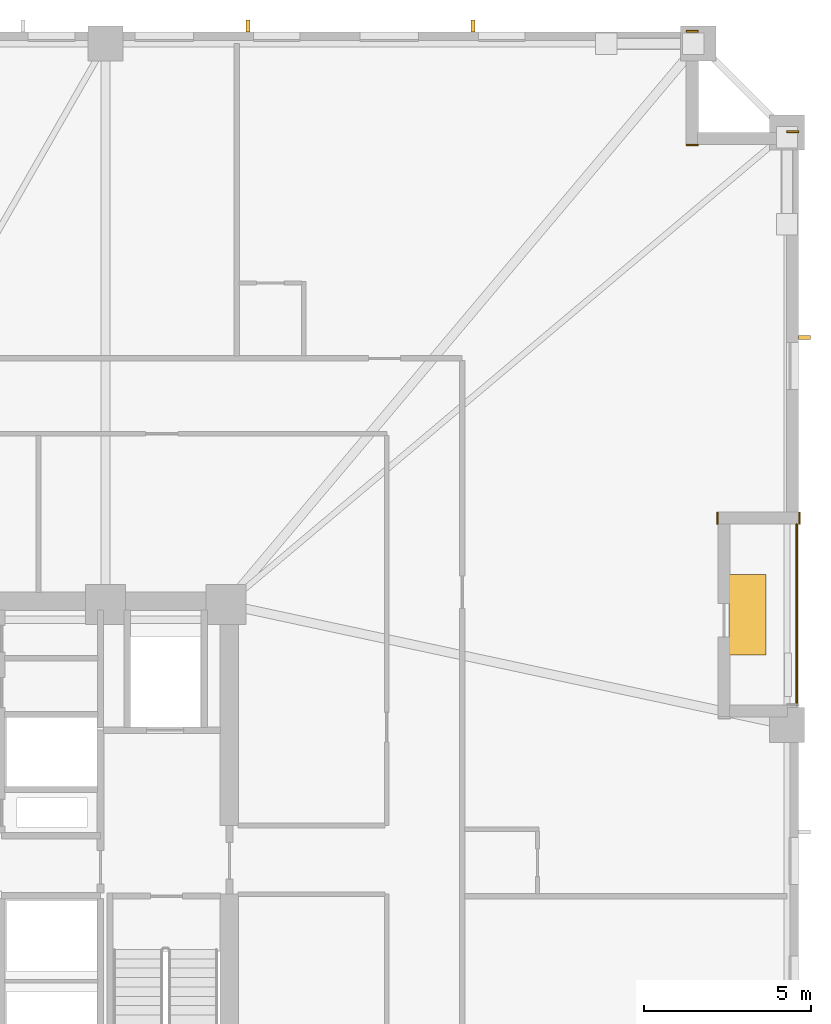
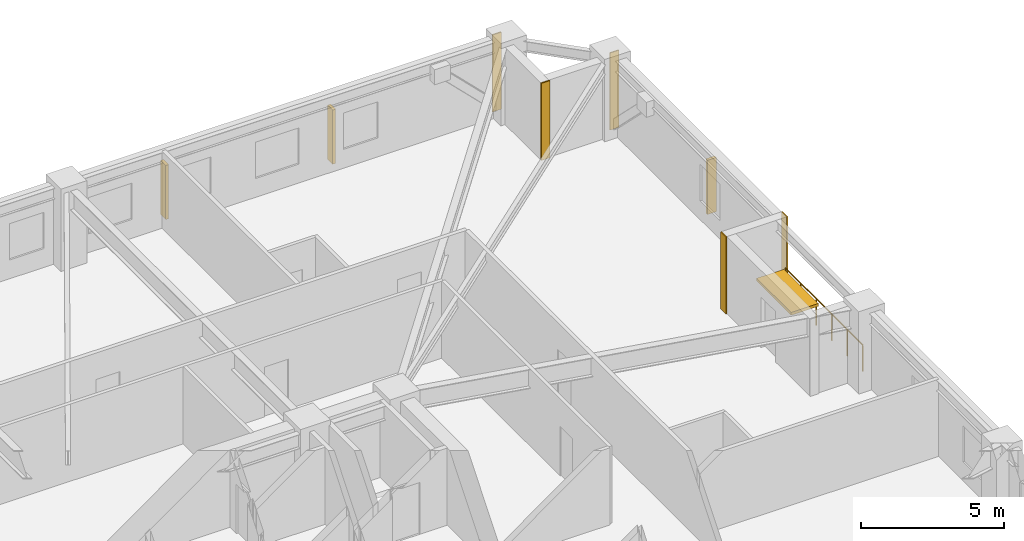
# One storey, part 11 of 11: 5 coverings, 4 shading devices, 1 railing.
"""IFC4 building model written with IfcOpenShell, lengths in metres."""

from ifc_helpers import new_model, si_unit, direction, frame, frame_2d, origin, origin_2d, place, context, subcontext, project, spatial, rectangle, circle, extrude, material, layer, layer_set, type_object, element, save


model = new_model("IFC4")

# Units and contexts
model_context = context("Model", 3, precision=1e-05, world=origin(), true_north=direction((0.0, 1.0)))
body_context = subcontext(model_context, "Body", "Model", "MODEL_VIEW")
ifc_project = project(units=[si_unit("LENGTHUNIT", "METRE"), si_unit("AREAUNIT", "SQUARE_METRE"), si_unit("VOLUMEUNIT", "CUBIC_METRE"), si_unit("PLANEANGLEUNIT", "RADIAN"), si_unit("MASSUNIT", "GRAM", prefix="KILO")], contexts=[model_context])

# Site, building, storey
site_placement = place(None, origin())
site = spatial("IfcSite", under=ifc_project, at=site_placement, CompositionType="ELEMENT")
building_placement = place(site_placement, origin())
building = spatial("IfcBuilding", under=site, at=building_placement, Name="Cairnveth Concourse Tower", CompositionType="ELEMENT")
storey_placement = place(building_placement, frame((0.0, 0.0, 76.0)))
storey = spatial("IfcBuildingStorey", under=building, at=storey_placement, Name="L20", CompositionType="ELEMENT", Elevation=76.0)

# Coverings
ifc_material_1 = material(Name="Dressed Melbourne Bluestone Cladding", Category="masonry")
ifc_layer = layer(ifc_material_1, 0.050048828125)
ifc_layer_set = layer_set([ifc_layer], Name="Dressed Melbourne Bluestone Cladding")
covering_type = type_object("IfcCoveringType", Name="DRESSED BLUESTONE PLINTH CLADDING 50", PredefinedType="CLADDING", material=ifc_layer_set)
for number, where, z_axis, x_axis, name in (
    (1, (74.139892578125, 64.52001953125, 0.0), (0.0, 0.0, 1.0), (1.0, 0.0, 0.0), "Melbourne Bluestone Corner Quoin L20-273"),
    (2, (74.139892578125, 61.1201171875, 0.0), (0.0, 0.0, 1.0), (1.0, 0.0, 0.0), "Melbourne Bluestone Corner Quoin L20-274"),
    (3, (77.139892578125, 61.52001953125, 0.0), (0.0, 0.0, 1.0), (1.0, 0.0, 0.0), "Melbourne Bluestone Corner Quoin L20-275"),
):
    element("IfcCovering", number, at=place(storey_placement, frame(where, z_axis=z_axis, x_axis=x_axis)), inside=storey, type_object=covering_type, Name=name, PredefinedType="CLADDING", context=body_context, shape_type="SweptSolid", body=[
        extrude(rectangle(XDim=0.360107421875, YDim=0.050048828125, at=frame_2d((0.18017578125, 0.0))), origin(), (0.0, 0.0, 1.0), 3.280029296875),
    ])
for number, where, z_axis, x_axis, name in (
    (4, (77.52001953125, 50.159912109375, 0.0), (0.0, 0.0, 1.0), (0.0, -1.0, 0.0), "Melbourne Bluestone Corner Quoin L20-276"),
    (5, (75.070068359375, 50.159912109375, 0.0), (0.0, 0.0, 1.0), (0.0, -1.0, 0.0), "Melbourne Bluestone Corner Quoin L20-277"),
):
    element("IfcCovering", number, at=place(storey_placement, frame(where, z_axis=z_axis, x_axis=x_axis)), inside=storey, type_object=covering_type, Name=name, PredefinedType="CLADDING", context=body_context, shape_type="SweptSolid", body=[
        extrude(rectangle(XDim=0.35986328125, YDim=0.050048828125, at=frame_2d((0.179931640625, 0.0))), origin(), (0.0, 0.0, 1.0), 3.280029296875),
    ])

# Shading devices
ifc_material_2 = material(Name="Architectural Bronze Anodised Aluminium 6063-T6", Category="aluminium")
shading_device_type_1 = type_object("IfcShadingDeviceType", Name="GOTHIC BRONZE VERTICAL LANCET FIN", PredefinedType="USERDEFINED", material=ifc_material_2)
for number, where, z_axis, x_axis, name in (
    (6, (61.051513671875, 64.675048828125, 0.02978515625), (0.0, 0.0, 1.0), (1.0, 0.0, 0.0), "Gothic Bronze Vertical Fin L20-9-9"),
    (7, (67.77197265625, 64.675048828125, 0.02978515625), (0.0, 0.0, 1.0), (1.0, 0.0, 0.0), "Gothic Bronze Vertical Fin L20-9-11"),
    (8, (77.675048828125, 55.37890625, 0.02978515625), (0.0, 0.0, 1.0), (0.0, 1.0, 0.0), "Gothic Bronze Vertical Fin L20-12-1"),
):
    element("IfcShadingDevice", number, at=place(storey_placement, frame(where, z_axis=z_axis, x_axis=x_axis)), inside=storey, type_object=shading_device_type_1, Name=name, ObjectType="VERTICAL FIN", PredefinedType="USERDEFINED", context=body_context, shape_type="SweptSolid", body=[
        extrude(rectangle(XDim=0.1201171875, YDim=0.360107421875, at=origin_2d()), origin(), (0.0, 0.0, 1.0), 2.303955078125),
    ])
shading_device_type_2 = type_object("IfcShadingDeviceType", Name="SPIRAL TERRACE SUNSHADE CANOPY", PredefinedType="USERDEFINED", material=ifc_material_2)
shading_device_placement = place(storey_placement, frame((75.969970703125, 47.10009765625, 2.183837890625), z_axis=(0.0, 0.0, 1.0), x_axis=(1.0, 0.0, 0.0)))
element("IfcShadingDevice", 9, at=shading_device_placement, inside=storey, type_object=shading_device_type_2, Name="Spiral Terrace Sunshade L20", ObjectType="TERRACE SUNSHADE", PredefinedType="USERDEFINED", context=body_context, shape_type="SweptSolid", body=[
    extrude(rectangle(XDim=1.10009765625, YDim=2.39990234375, at=origin_2d()), origin(), (0.0, 0.0, 1.0), 0.1201171875),
])

# Railing
railing_type = type_object("IfcRailingType", Name="TERRACE BRONZE BALUSTRADE 1150", PredefinedType="BALUSTRADE", material=ifc_material_2)
railing_placement = place(storey_placement, frame((77.43994140625, 44.39990234375, 0.0)))
element("IfcRailing", 10, at=railing_placement, inside=storey, type_object=railing_type, Name="Terrace Balustrade RL-L20-TERR", PredefinedType="BALUSTRADE", context=body_context, shape_type="SweptSolid", body=[
    extrude(circle(Radius=0.02490234375, at=origin_2d()), frame((0.0, 0.0, 1.125), z_axis=(0.0, 1.0, 0.0), x_axis=(-1.0, 0.0, 0.0)), (0.0, 0.0, 1.0), 5.400146484375),
    extrude(circle(Radius=0.02099609375, at=origin_2d()), origin(), (0.0, 0.0, 1.0), 1.099853515625),
    extrude(circle(Radius=0.02099609375, at=origin_2d()), frame((0.0, 1.080078125, 0.0)), (0.0, 0.0, 1.0), 1.099853515625),
    extrude(circle(Radius=0.02099609375, at=origin_2d()), frame((0.0, 2.16015625, 0.0)), (0.0, 0.0, 1.0), 1.099853515625),
    extrude(circle(Radius=0.02099609375, at=origin_2d()), frame((0.0, 3.239990234375, 0.0)), (0.0, 0.0, 1.0), 1.099853515625),
    extrude(circle(Radius=0.02099609375, at=origin_2d()), frame((0.0, 4.320068359375, 0.0)), (0.0, 0.0, 1.0), 1.099853515625),
    extrude(circle(Radius=0.02099609375, at=origin_2d()), frame((0.0, 5.400146484375, 0.0)), (0.0, 0.0, 1.0), 1.099853515625),
])

save(model, "model.ifc")
